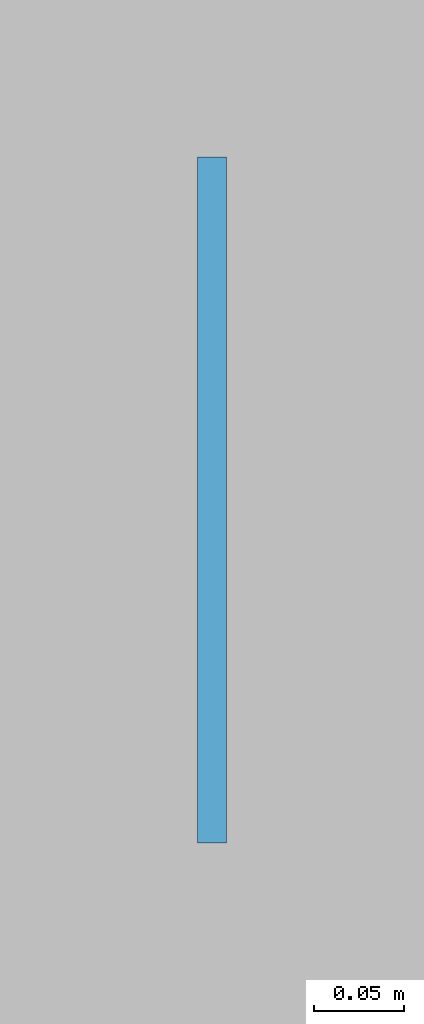
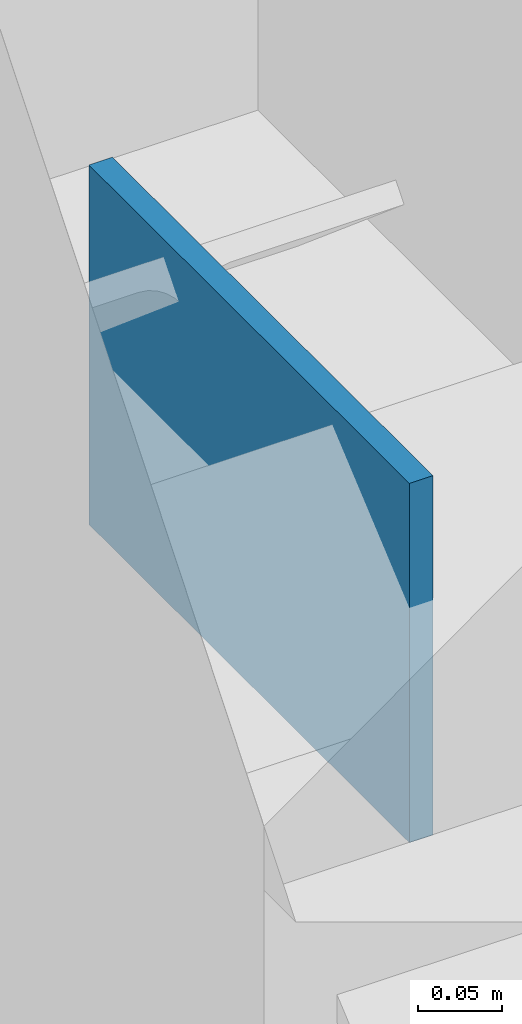
# One storey, part 98 of 132: 1 plate.
"""IFC4 building model written with IfcOpenShell, lengths in metres."""

from ifc_helpers import new_model, si_unit, direction, frame, origin, origin_2d, place, context, subcontext, project, spatial, rectangle, extrude, material, layer, layer_set, type_object, element, save


model = new_model("IFC4")

# Units and contexts
model_context = context("Model", 3, precision=1e-05, world=origin(), true_north=direction((0.0, 1.0)))
body_context = subcontext(model_context, "Body", "Model", "MODEL_VIEW")
ifc_project = project(units=[si_unit("LENGTHUNIT", "METRE"), si_unit("AREAUNIT", "SQUARE_METRE"), si_unit("VOLUMEUNIT", "CUBIC_METRE"), si_unit("PLANEANGLEUNIT", "RADIAN"), si_unit("MASSUNIT", "GRAM", prefix="KILO")], contexts=[model_context])

# Site, building, storey
site_placement = place(None, origin())
site = spatial("IfcSite", under=ifc_project, at=site_placement, CompositionType="ELEMENT")
building_placement = place(site_placement, origin())
building = spatial("IfcBuilding", under=site, at=building_placement, Name="Qasida Concert Hall", CompositionType="ELEMENT")
storey_placement = place(building_placement, frame((0.0, 0.0, 4.800048828125)))
storey = spatial("IfcBuildingStorey", under=building, at=storey_placement, Name="L01", CompositionType="ELEMENT", Elevation=4.800048828125)

# Plate
ifc_material = material(Name="Steel S355J2", Category="steel")
ifc_layer = layer(ifc_material, 0.01611328125, Name="Steel S355J2")
ifc_layer_set = layer_set([ifc_layer], Name="Steel S355J2")
plate_type = type_object("IfcPlateType", Name="PLT-PL-EC3", PredefinedType="SHEET", material=ifc_layer_set)
plate_placement = place(storey_placement, frame((165.0, 86.25, 3.0400390625), z_axis=(0.0, 0.0, 1.0), x_axis=(0.0, 1.0, 0.0)))
element("IfcPlate", 1, at=plate_placement, inside=storey, type_object=plate_type, Name="Chevron apex plate CBF-0096", PredefinedType="SHEET", context=body_context, shape_type="SweptSolid", body=[
    extrude(rectangle(XDim=0.3798828125, YDim=0.01611328125, at=origin_2d()), origin(), (0.0, 0.0, 1.0), 0.260009765625),
])

save(model, "model.ifc")
